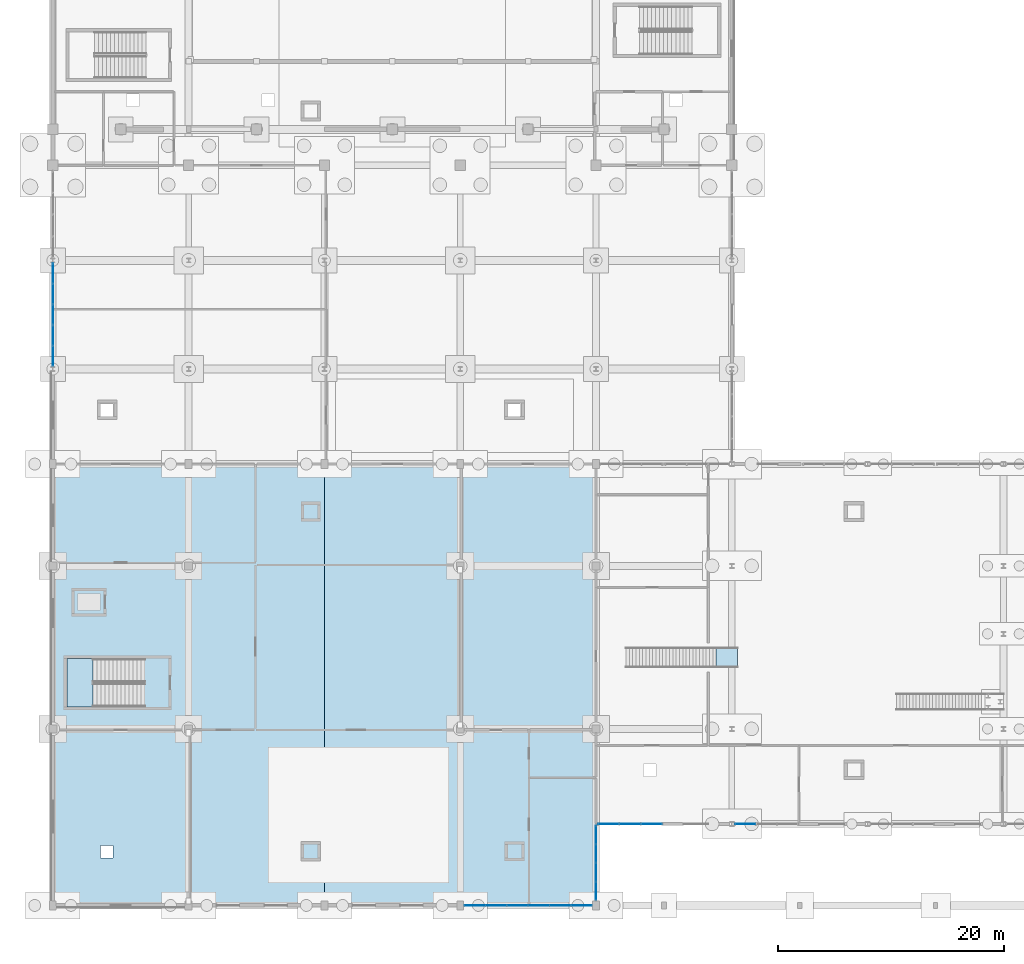
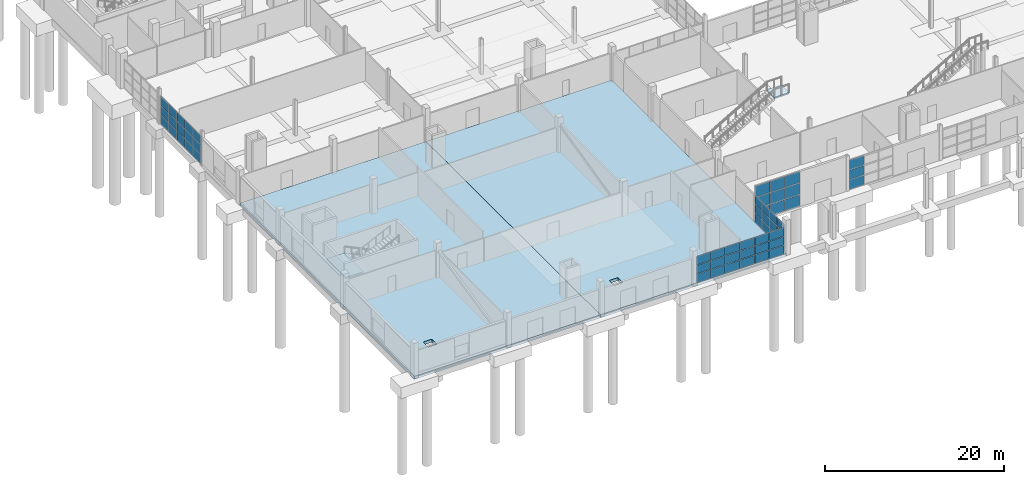
# One storey, part 45 of 82: 57 plates, 4 slabs, 7 elements without a shape of their own.
"""IFC4 building model written with IfcOpenShell, lengths in metres."""

from ifc_helpers import new_model, si_unit, direction, frame, origin, origin_2d, place, context, subcontext, project, spatial, polyline, rectangle, outline, extrude, material, layer, layer_set, type_object, element, aggregate, save


model = new_model("IFC4")

# Units and contexts
model_context = context("Model", 3, precision=1e-05, world=origin(), true_north=direction((0.0, 1.0)))
body_context = subcontext(model_context, "Body", "Model", "MODEL_VIEW")
ifc_project = project(units=[si_unit("LENGTHUNIT", "METRE"), si_unit("AREAUNIT", "SQUARE_METRE"), si_unit("VOLUMEUNIT", "CUBIC_METRE"), si_unit("PLANEANGLEUNIT", "RADIAN"), si_unit("MASSUNIT", "GRAM", prefix="KILO")], contexts=[model_context])

# Site, building, storey
site_placement = place(None, origin())
site = spatial("IfcSite", under=ifc_project, at=site_placement, CompositionType="ELEMENT")
building_placement = place(site_placement, origin())
building = spatial("IfcBuilding", under=site, at=building_placement, Name="Kelmvaro Bay Concert Hall", CompositionType="ELEMENT")
storey_placement = place(building_placement, origin())
storey = spatial("IfcBuildingStorey", under=building, at=storey_placement, Name="L00", CompositionType="ELEMENT", Elevation=0.0)

# Stair, slab
ifc_material_1 = material(Name="Concrete C40/50", Category="concrete")
stair_type_1 = type_object("IfcStairType", Name="Core Dogleg Exit Stair 2050", PredefinedType="USERDEFINED", material=ifc_material_1)
stair_1_placement = place(storey_placement, origin())
stair_1 = element("IfcStair", 1, at=stair_1_placement, inside=storey, type_object=stair_type_1, Name="L00 Exit Stair ST-08", ObjectType="TWO_RETURN_STAIR", PredefinedType="USERDEFINED")
ifc_material_2 = material(Name="Concrete C40/50", Category="concrete")
ifc_layer_1 = layer(ifc_material_2, 0.199951171875)
ifc_layer_set_1 = layer_set([ifc_layer_1], Name="Concrete C40/50")
slab_type_1 = type_object("IfcSlabType", Name="Core Stair Half-Landing Slab 200", PredefinedType="LANDING", material=ifc_layer_set_1)
slab_1_placement = place(storey_placement, frame((0.0, 0.0, 2.199951171875)))
slab_1 = element("IfcSlab", 2, at=slab_1_placement, type_object=slab_type_1, Name="ST-08 landing 1", PredefinedType="LANDING", context=body_context, shape_type="SweptSolid", body=[
    extrude(outline(polyline([(3.534912109375, 21.800048828125), (1.25, 21.800048828125), (1.25, 17.550048828125), (3.534912109375, 17.550048828125), (3.534912109375, 21.800048828125)])), origin(), (0.0, 0.0, 1.0), 0.199951171875),
])
aggregate(stair_1, [slab_1])

# Curtain wall, plates
ifc_material_3 = material(Name="Anodised Aluminium and Low-E Insulated Glazing", Category="aluminium")
curtain_wall_type_1 = type_object("IfcCurtainWallType", Name="Conservatory Courtyard Curtain Wall 3850", PredefinedType="USERDEFINED", material=ifc_material_3)
curtain_wall_1_placement = place(storey_placement, origin())
curtain_wall_1 = element("IfcCurtainWall", 3, at=curtain_wall_1_placement, inside=storey, type_object=curtain_wall_type_1, Name="Unitised Curtain Wall CW-L00-038", ObjectType="UNITISED GLAZING", PredefinedType="USERDEFINED")
ifc_material_4 = material(Name="Laminated Low-E Insulated Glass", Category="glass")
ifc_layer_2 = layer(ifc_material_4, 1.85009765625)
ifc_layer_set_2 = layer_set([ifc_layer_2], Name="Laminated Low-E Insulated Glass")
plate_type_1 = type_object("IfcPlateType", Name="Curtain Glazing Panel Low-E 32", PredefinedType="CURTAIN_PANEL", material=ifc_layer_set_2)
plate_1_placement = place(storey_placement, frame((46.7041015625, 0.0, 0.03271484375), z_axis=(0.0, 0.0, 1.0), x_axis=(-1.0, 0.0, 0.0)))
plate_1 = element("IfcPlate", 4, at=plate_1_placement, type_object=plate_type_1, Name="CW-L00-038 Insulated Glazing Panel 01-1", PredefinedType="CURTAIN_PANEL", context=body_context, shape_type="SweptSolid", body=[
    extrude(rectangle(XDim=1.816650390625, YDim=0.031982421875, at=origin_2d()), origin(), (0.0, 0.0, 1.0), 1.148193359375),
])
plate_2_placement = place(storey_placement, frame((46.7041015625, 0.0, 1.245849609375), z_axis=(0.0, 0.0, 1.0), x_axis=(-1.0, 0.0, 0.0)))
plate_2 = element("IfcPlate", 5, at=plate_2_placement, type_object=plate_type_1, Name="CW-L00-038 Insulated Glazing Panel 01-2", PredefinedType="CURTAIN_PANEL", context=body_context, shape_type="SweptSolid", body=[
    extrude(rectangle(XDim=1.816650390625, YDim=0.031982421875, at=origin_2d()), origin(), (0.0, 0.0, 1.0), 1.1484375),
])
plate_3_placement = place(storey_placement, frame((46.7041015625, 0.0, 2.458984375), z_axis=(0.0, 0.0, 1.0), x_axis=(-1.0, 0.0, 0.0)))
plate_3 = element("IfcPlate", 6, at=plate_3_placement, type_object=plate_type_1, Name="CW-L00-038 Insulated Glazing Panel 01-3", PredefinedType="CURTAIN_PANEL", context=body_context, shape_type="SweptSolid", body=[
    extrude(rectangle(XDim=1.816650390625, YDim=0.031982421875, at=origin_2d()), origin(), (0.0, 0.0, 1.0), 1.148193359375),
])
plate_4_placement = place(storey_placement, frame((44.822509765625, 0.0, 0.03271484375), z_axis=(0.0, 0.0, 1.0), x_axis=(-1.0, 0.0, 0.0)))
plate_4 = element("IfcPlate", 7, at=plate_4_placement, type_object=plate_type_1, Name="CW-L00-038 Insulated Glazing Panel 02-1", PredefinedType="CURTAIN_PANEL", context=body_context, shape_type="SweptSolid", body=[
    extrude(rectangle(XDim=1.816650390625, YDim=0.031982421875, at=origin_2d()), origin(), (0.0, 0.0, 1.0), 1.148193359375),
])
plate_5_placement = place(storey_placement, frame((44.822509765625, 0.0, 1.245849609375), z_axis=(0.0, 0.0, 1.0), x_axis=(-1.0, 0.0, 0.0)))
plate_5 = element("IfcPlate", 8, at=plate_5_placement, type_object=plate_type_1, Name="CW-L00-038 Insulated Glazing Panel 02-2", PredefinedType="CURTAIN_PANEL", context=body_context, shape_type="SweptSolid", body=[
    extrude(rectangle(XDim=1.816650390625, YDim=0.031982421875, at=origin_2d()), origin(), (0.0, 0.0, 1.0), 1.1484375),
])
plate_6_placement = place(storey_placement, frame((44.822509765625, 0.0, 2.458984375), z_axis=(0.0, 0.0, 1.0), x_axis=(-1.0, 0.0, 0.0)))
plate_6 = element("IfcPlate", 9, at=plate_6_placement, type_object=plate_type_1, Name="CW-L00-038 Insulated Glazing Panel 02-3", PredefinedType="CURTAIN_PANEL", context=body_context, shape_type="SweptSolid", body=[
    extrude(rectangle(XDim=1.816650390625, YDim=0.031982421875, at=origin_2d()), origin(), (0.0, 0.0, 1.0), 1.148193359375),
])
plate_7_placement = place(storey_placement, frame((42.94091796875, 0.0, 0.03271484375), z_axis=(0.0, 0.0, 1.0), x_axis=(-1.0, 0.0, 0.0)))
plate_7 = element("IfcPlate", 10, at=plate_7_placement, type_object=plate_type_1, Name="CW-L00-038 Insulated Glazing Panel 03-1", PredefinedType="CURTAIN_PANEL", context=body_context, shape_type="SweptSolid", body=[
    extrude(rectangle(XDim=1.816650390625, YDim=0.031982421875, at=origin_2d()), origin(), (0.0, 0.0, 1.0), 1.148193359375),
])
plate_8_placement = place(storey_placement, frame((42.94091796875, 0.0, 1.245849609375), z_axis=(0.0, 0.0, 1.0), x_axis=(-1.0, 0.0, 0.0)))
plate_8 = element("IfcPlate", 11, at=plate_8_placement, type_object=plate_type_1, Name="CW-L00-038 Insulated Glazing Panel 03-2", PredefinedType="CURTAIN_PANEL", context=body_context, shape_type="SweptSolid", body=[
    extrude(rectangle(XDim=1.816650390625, YDim=0.031982421875, at=origin_2d()), origin(), (0.0, 0.0, 1.0), 1.1484375),
])
plate_9_placement = place(storey_placement, frame((42.94091796875, 0.0, 2.458984375), z_axis=(0.0, 0.0, 1.0), x_axis=(-1.0, 0.0, 0.0)))
plate_9 = element("IfcPlate", 12, at=plate_9_placement, type_object=plate_type_1, Name="CW-L00-038 Insulated Glazing Panel 03-3", PredefinedType="CURTAIN_PANEL", context=body_context, shape_type="SweptSolid", body=[
    extrude(rectangle(XDim=1.816650390625, YDim=0.031982421875, at=origin_2d()), origin(), (0.0, 0.0, 1.0), 1.148193359375),
])
plate_10_placement = place(storey_placement, frame((41.05908203125, 0.0, 0.03271484375), z_axis=(0.0, 0.0, 1.0), x_axis=(-1.0, 0.0, 0.0)))
plate_10 = element("IfcPlate", 13, at=plate_10_placement, type_object=plate_type_1, Name="CW-L00-038 Insulated Glazing Panel 04-1", PredefinedType="CURTAIN_PANEL", context=body_context, shape_type="SweptSolid", body=[
    extrude(rectangle(XDim=1.816650390625, YDim=0.031982421875, at=origin_2d()), origin(), (0.0, 0.0, 1.0), 1.148193359375),
])
plate_11_placement = place(storey_placement, frame((41.05908203125, 0.0, 1.245849609375), z_axis=(0.0, 0.0, 1.0), x_axis=(-1.0, 0.0, 0.0)))
plate_11 = element("IfcPlate", 14, at=plate_11_placement, type_object=plate_type_1, Name="CW-L00-038 Insulated Glazing Panel 04-2", PredefinedType="CURTAIN_PANEL", context=body_context, shape_type="SweptSolid", body=[
    extrude(rectangle(XDim=1.816650390625, YDim=0.031982421875, at=origin_2d()), origin(), (0.0, 0.0, 1.0), 1.1484375),
])
plate_12_placement = place(storey_placement, frame((41.05908203125, 0.0, 2.458984375), z_axis=(0.0, 0.0, 1.0), x_axis=(-1.0, 0.0, 0.0)))
plate_12 = element("IfcPlate", 15, at=plate_12_placement, type_object=plate_type_1, Name="CW-L00-038 Insulated Glazing Panel 04-3", PredefinedType="CURTAIN_PANEL", context=body_context, shape_type="SweptSolid", body=[
    extrude(rectangle(XDim=1.816650390625, YDim=0.031982421875, at=origin_2d()), origin(), (0.0, 0.0, 1.0), 1.148193359375),
])
plate_13_placement = place(storey_placement, frame((39.177490234375, 0.0, 0.03271484375), z_axis=(0.0, 0.0, 1.0), x_axis=(-1.0, 0.0, 0.0)))
plate_13 = element("IfcPlate", 16, at=plate_13_placement, type_object=plate_type_1, Name="CW-L00-038 Insulated Glazing Panel 05-1", PredefinedType="CURTAIN_PANEL", context=body_context, shape_type="SweptSolid", body=[
    extrude(rectangle(XDim=1.816650390625, YDim=0.031982421875, at=origin_2d()), origin(), (0.0, 0.0, 1.0), 1.148193359375),
])
plate_14_placement = place(storey_placement, frame((39.177490234375, 0.0, 1.245849609375), z_axis=(0.0, 0.0, 1.0), x_axis=(-1.0, 0.0, 0.0)))
plate_14 = element("IfcPlate", 17, at=plate_14_placement, type_object=plate_type_1, Name="CW-L00-038 Insulated Glazing Panel 05-2", PredefinedType="CURTAIN_PANEL", context=body_context, shape_type="SweptSolid", body=[
    extrude(rectangle(XDim=1.816650390625, YDim=0.031982421875, at=origin_2d()), origin(), (0.0, 0.0, 1.0), 1.1484375),
])
plate_15_placement = place(storey_placement, frame((39.177490234375, 0.0, 2.458984375), z_axis=(0.0, 0.0, 1.0), x_axis=(-1.0, 0.0, 0.0)))
plate_15 = element("IfcPlate", 18, at=plate_15_placement, type_object=plate_type_1, Name="CW-L00-038 Insulated Glazing Panel 05-3", PredefinedType="CURTAIN_PANEL", context=body_context, shape_type="SweptSolid", body=[
    extrude(rectangle(XDim=1.816650390625, YDim=0.031982421875, at=origin_2d()), origin(), (0.0, 0.0, 1.0), 1.148193359375),
])
plate_16_placement = place(storey_placement, frame((37.2958984375, 0.0, 0.03271484375), z_axis=(0.0, 0.0, 1.0), x_axis=(-1.0, 0.0, 0.0)))
plate_16 = element("IfcPlate", 19, at=plate_16_placement, type_object=plate_type_1, Name="CW-L00-038 Insulated Glazing Panel 06-1", PredefinedType="CURTAIN_PANEL", context=body_context, shape_type="SweptSolid", body=[
    extrude(rectangle(XDim=1.816650390625, YDim=0.031982421875, at=origin_2d()), origin(), (0.0, 0.0, 1.0), 1.148193359375),
])
plate_17_placement = place(storey_placement, frame((37.2958984375, 0.0, 1.245849609375), z_axis=(0.0, 0.0, 1.0), x_axis=(-1.0, 0.0, 0.0)))
plate_17 = element("IfcPlate", 20, at=plate_17_placement, type_object=plate_type_1, Name="CW-L00-038 Insulated Glazing Panel 06-2", PredefinedType="CURTAIN_PANEL", context=body_context, shape_type="SweptSolid", body=[
    extrude(rectangle(XDim=1.816650390625, YDim=0.031982421875, at=origin_2d()), origin(), (0.0, 0.0, 1.0), 1.1484375),
])
plate_18_placement = place(storey_placement, frame((37.2958984375, 0.0, 2.458984375), z_axis=(0.0, 0.0, 1.0), x_axis=(-1.0, 0.0, 0.0)))
plate_18 = element("IfcPlate", 21, at=plate_18_placement, type_object=plate_type_1, Name="CW-L00-038 Insulated Glazing Panel 06-3", PredefinedType="CURTAIN_PANEL", context=body_context, shape_type="SweptSolid", body=[
    extrude(rectangle(XDim=1.816650390625, YDim=0.031982421875, at=origin_2d()), origin(), (0.0, 0.0, 1.0), 1.148193359375),
])
aggregate(curtain_wall_1, [plate_1, plate_2, plate_3, plate_4, plate_5, plate_6, plate_7, plate_8, plate_9, plate_10, plate_11, plate_12, plate_13, plate_14, plate_15, plate_16, plate_17, plate_18])

curtain_wall_2_placement = place(storey_placement, origin())
curtain_wall_2 = element("IfcCurtainWall", 22, at=curtain_wall_2_placement, inside=storey, type_object=curtain_wall_type_1, Name="Unitised Curtain Wall CW-L00-039", ObjectType="UNITISED GLAZING", PredefinedType="USERDEFINED")
plate_19_placement = place(storey_placement, frame((48.0, 6.234375, 0.032470703125), z_axis=(0.0, 0.0, 1.0), x_axis=(0.0, -1.0, 0.0)))
plate_19 = element("IfcPlate", 23, at=plate_19_placement, type_object=plate_type_1, Name="CW-L00-039 Insulated Glazing Panel 01-1", PredefinedType="CURTAIN_PANEL", context=body_context, shape_type="SweptSolid", body=[
    extrude(rectangle(XDim=1.586181640625, YDim=0.031982421875, at=origin_2d()), origin(), (0.0, 0.0, 1.0), 1.1630859375),
])
plate_20_placement = place(storey_placement, frame((48.0, 6.234375, 1.260498046875), z_axis=(0.0, 0.0, 1.0), x_axis=(0.0, -1.0, 0.0)))
plate_20 = element("IfcPlate", 24, at=plate_20_placement, type_object=plate_type_1, Name="CW-L00-039 Insulated Glazing Panel 01-2", PredefinedType="CURTAIN_PANEL", context=body_context, shape_type="SweptSolid", body=[
    extrude(rectangle(XDim=1.586181640625, YDim=0.031982421875, at=origin_2d()), origin(), (0.0, 0.0, 1.0), 1.1630859375),
])
plate_21_placement = place(storey_placement, frame((48.0, 6.234375, 2.488525390625), z_axis=(0.0, 0.0, 1.0), x_axis=(0.0, -1.0, 0.0)))
plate_21 = element("IfcPlate", 25, at=plate_21_placement, type_object=plate_type_1, Name="CW-L00-039 Insulated Glazing Panel 01-3", PredefinedType="CURTAIN_PANEL", context=body_context, shape_type="SweptSolid", body=[
    extrude(rectangle(XDim=1.586181640625, YDim=0.031982421875, at=origin_2d()), origin(), (0.0, 0.0, 1.0), 1.1630859375),
])
plate_22_placement = place(storey_placement, frame((48.0, 4.5830078125, 0.032470703125), z_axis=(0.0, 0.0, 1.0), x_axis=(0.0, -1.0, 0.0)))
plate_22 = element("IfcPlate", 26, at=plate_22_placement, type_object=plate_type_1, Name="CW-L00-039 Insulated Glazing Panel 02-1", PredefinedType="CURTAIN_PANEL", context=body_context, shape_type="SweptSolid", body=[
    extrude(rectangle(XDim=1.586181640625, YDim=0.031982421875, at=origin_2d()), origin(), (0.0, 0.0, 1.0), 1.1630859375),
])
plate_23_placement = place(storey_placement, frame((48.0, 4.5830078125, 1.260498046875), z_axis=(0.0, 0.0, 1.0), x_axis=(0.0, -1.0, 0.0)))
plate_23 = element("IfcPlate", 27, at=plate_23_placement, type_object=plate_type_1, Name="CW-L00-039 Insulated Glazing Panel 02-2", PredefinedType="CURTAIN_PANEL", context=body_context, shape_type="SweptSolid", body=[
    extrude(rectangle(XDim=1.586181640625, YDim=0.031982421875, at=origin_2d()), origin(), (0.0, 0.0, 1.0), 1.1630859375),
])
plate_24_placement = place(storey_placement, frame((48.0, 4.5830078125, 2.488525390625), z_axis=(0.0, 0.0, 1.0), x_axis=(0.0, -1.0, 0.0)))
plate_24 = element("IfcPlate", 28, at=plate_24_placement, type_object=plate_type_1, Name="CW-L00-039 Insulated Glazing Panel 02-3", PredefinedType="CURTAIN_PANEL", context=body_context, shape_type="SweptSolid", body=[
    extrude(rectangle(XDim=1.586181640625, YDim=0.031982421875, at=origin_2d()), origin(), (0.0, 0.0, 1.0), 1.1630859375),
])
plate_25_placement = place(storey_placement, frame((48.0, 2.931884765625, 0.032470703125), z_axis=(0.0, 0.0, 1.0), x_axis=(0.0, -1.0, 0.0)))
plate_25 = element("IfcPlate", 29, at=plate_25_placement, type_object=plate_type_1, Name="CW-L00-039 Insulated Glazing Panel 03-1", PredefinedType="CURTAIN_PANEL", context=body_context, shape_type="SweptSolid", body=[
    extrude(rectangle(XDim=1.586181640625, YDim=0.031982421875, at=origin_2d()), origin(), (0.0, 0.0, 1.0), 1.1630859375),
])
plate_26_placement = place(storey_placement, frame((48.0, 2.931884765625, 1.260498046875), z_axis=(0.0, 0.0, 1.0), x_axis=(0.0, -1.0, 0.0)))
plate_26 = element("IfcPlate", 30, at=plate_26_placement, type_object=plate_type_1, Name="CW-L00-039 Insulated Glazing Panel 03-2", PredefinedType="CURTAIN_PANEL", context=body_context, shape_type="SweptSolid", body=[
    extrude(rectangle(XDim=1.586181640625, YDim=0.031982421875, at=origin_2d()), origin(), (0.0, 0.0, 1.0), 1.1630859375),
])
plate_27_placement = place(storey_placement, frame((48.0, 2.931884765625, 2.488525390625), z_axis=(0.0, 0.0, 1.0), x_axis=(0.0, -1.0, 0.0)))
plate_27 = element("IfcPlate", 31, at=plate_27_placement, type_object=plate_type_1, Name="CW-L00-039 Insulated Glazing Panel 03-3", PredefinedType="CURTAIN_PANEL", context=body_context, shape_type="SweptSolid", body=[
    extrude(rectangle(XDim=1.586181640625, YDim=0.031982421875, at=origin_2d()), origin(), (0.0, 0.0, 1.0), 1.1630859375),
])
plate_28_placement = place(storey_placement, frame((48.0, 1.280517578125, 0.032470703125), z_axis=(0.0, 0.0, 1.0), x_axis=(0.0, -1.0, 0.0)))
plate_28 = element("IfcPlate", 32, at=plate_28_placement, type_object=plate_type_1, Name="CW-L00-039 Insulated Glazing Panel 04-1", PredefinedType="CURTAIN_PANEL", context=body_context, shape_type="SweptSolid", body=[
    extrude(rectangle(XDim=1.586181640625, YDim=0.031982421875, at=origin_2d()), origin(), (0.0, 0.0, 1.0), 1.1630859375),
])
plate_29_placement = place(storey_placement, frame((48.0, 1.280517578125, 1.260498046875), z_axis=(0.0, 0.0, 1.0), x_axis=(0.0, -1.0, 0.0)))
plate_29 = element("IfcPlate", 33, at=plate_29_placement, type_object=plate_type_1, Name="CW-L00-039 Insulated Glazing Panel 04-2", PredefinedType="CURTAIN_PANEL", context=body_context, shape_type="SweptSolid", body=[
    extrude(rectangle(XDim=1.586181640625, YDim=0.031982421875, at=origin_2d()), origin(), (0.0, 0.0, 1.0), 1.1630859375),
])
plate_30_placement = place(storey_placement, frame((48.0, 1.280517578125, 2.488525390625), z_axis=(0.0, 0.0, 1.0), x_axis=(0.0, -1.0, 0.0)))
plate_30 = element("IfcPlate", 34, at=plate_30_placement, type_object=plate_type_1, Name="CW-L00-039 Insulated Glazing Panel 04-3", PredefinedType="CURTAIN_PANEL", context=body_context, shape_type="SweptSolid", body=[
    extrude(rectangle(XDim=1.586181640625, YDim=0.031982421875, at=origin_2d()), origin(), (0.0, 0.0, 1.0), 1.1630859375),
])
aggregate(curtain_wall_2, [plate_19, plate_20, plate_21, plate_22, plate_23, plate_24, plate_25, plate_26, plate_27, plate_28, plate_29, plate_30])

ifc_material_5 = material(Name="Anodised Aluminium and Low-E Insulated Glazing", Category="aluminium")
curtain_wall_type_2 = type_object("IfcCurtainWallType", Name="West Link Courtyard Curtain Wall 4000", PredefinedType="USERDEFINED", material=ifc_material_5)
curtain_wall_3_placement = place(storey_placement, origin())
curtain_wall_3 = element("IfcCurtainWall", 35, at=curtain_wall_3_placement, inside=storey, type_object=curtain_wall_type_2, Name="Unitised Curtain Wall CW-L00-127", ObjectType="UNITISED GLAZING", PredefinedType="USERDEFINED")
plate_31_placement = place(storey_placement, frame((0.0, 48.55322265625, 0.03271484375), z_axis=(0.0, 0.0, 1.0), x_axis=(0.0, 1.0, 0.0)))
plate_31 = element("IfcPlate", 36, at=plate_31_placement, type_object=plate_type_1, Name="CW-L00-127 Insulated Glazing Panel 01-1", PredefinedType="CURTAIN_PANEL", context=body_context, shape_type="SweptSolid", body=[
    extrude(rectangle(XDim=1.75830078125, YDim=0.031982421875, at=origin_2d()), origin(), (0.0, 0.0, 1.0), 1.2412109375),
])
plate_32_placement = place(storey_placement, frame((0.0, 48.55322265625, 1.3388671875), z_axis=(0.0, 0.0, 1.0), x_axis=(0.0, 1.0, 0.0)))
plate_32 = element("IfcPlate", 37, at=plate_32_placement, type_object=plate_type_1, Name="CW-L00-127 Insulated Glazing Panel 01-2", PredefinedType="CURTAIN_PANEL", context=body_context, shape_type="SweptSolid", body=[
    extrude(rectangle(XDim=1.75830078125, YDim=0.031982421875, at=origin_2d()), origin(), (0.0, 0.0, 1.0), 1.241455078125),
])
plate_33_placement = place(storey_placement, frame((0.0, 48.55322265625, 2.645263671875), z_axis=(0.0, 0.0, 1.0), x_axis=(0.0, 1.0, 0.0)))
plate_33 = element("IfcPlate", 38, at=plate_33_placement, type_object=plate_type_1, Name="CW-L00-127 Insulated Glazing Panel 01-3", PredefinedType="CURTAIN_PANEL", context=body_context, shape_type="SweptSolid", body=[
    extrude(rectangle(XDim=1.75830078125, YDim=0.031982421875, at=origin_2d()), origin(), (0.0, 0.0, 1.0), 1.2412109375),
])
plate_34_placement = place(storey_placement, frame((0.0, 50.376708984375, 0.03271484375), z_axis=(0.0, 0.0, 1.0), x_axis=(0.0, 1.0, 0.0)))
plate_34 = element("IfcPlate", 39, at=plate_34_placement, type_object=plate_type_1, Name="CW-L00-127 Insulated Glazing Panel 02-1", PredefinedType="CURTAIN_PANEL", context=body_context, shape_type="SweptSolid", body=[
    extrude(rectangle(XDim=1.75830078125, YDim=0.031982421875, at=origin_2d()), origin(), (0.0, 0.0, 1.0), 1.2412109375),
])
plate_35_placement = place(storey_placement, frame((0.0, 50.376708984375, 1.3388671875), z_axis=(0.0, 0.0, 1.0), x_axis=(0.0, 1.0, 0.0)))
plate_35 = element("IfcPlate", 40, at=plate_35_placement, type_object=plate_type_1, Name="CW-L00-127 Insulated Glazing Panel 02-2", PredefinedType="CURTAIN_PANEL", context=body_context, shape_type="SweptSolid", body=[
    extrude(rectangle(XDim=1.75830078125, YDim=0.031982421875, at=origin_2d()), origin(), (0.0, 0.0, 1.0), 1.241455078125),
])
plate_36_placement = place(storey_placement, frame((0.0, 50.376708984375, 2.645263671875), z_axis=(0.0, 0.0, 1.0), x_axis=(0.0, 1.0, 0.0)))
plate_36 = element("IfcPlate", 41, at=plate_36_placement, type_object=plate_type_1, Name="CW-L00-127 Insulated Glazing Panel 02-3", PredefinedType="CURTAIN_PANEL", context=body_context, shape_type="SweptSolid", body=[
    extrude(rectangle(XDim=1.75830078125, YDim=0.031982421875, at=origin_2d()), origin(), (0.0, 0.0, 1.0), 1.2412109375),
])
plate_37_placement = place(storey_placement, frame((0.0, 52.199951171875, 0.03271484375), z_axis=(0.0, 0.0, 1.0), x_axis=(0.0, 1.0, 0.0)))
plate_37 = element("IfcPlate", 42, at=plate_37_placement, type_object=plate_type_1, Name="CW-L00-127 Insulated Glazing Panel 03-1", PredefinedType="CURTAIN_PANEL", context=body_context, shape_type="SweptSolid", body=[
    extrude(rectangle(XDim=1.75830078125, YDim=0.031982421875, at=origin_2d()), origin(), (0.0, 0.0, 1.0), 1.2412109375),
])
plate_38_placement = place(storey_placement, frame((0.0, 52.199951171875, 1.3388671875), z_axis=(0.0, 0.0, 1.0), x_axis=(0.0, 1.0, 0.0)))
plate_38 = element("IfcPlate", 43, at=plate_38_placement, type_object=plate_type_1, Name="CW-L00-127 Insulated Glazing Panel 03-2", PredefinedType="CURTAIN_PANEL", context=body_context, shape_type="SweptSolid", body=[
    extrude(rectangle(XDim=1.75830078125, YDim=0.031982421875, at=origin_2d()), origin(), (0.0, 0.0, 1.0), 1.241455078125),
])
plate_39_placement = place(storey_placement, frame((0.0, 52.199951171875, 2.645263671875), z_axis=(0.0, 0.0, 1.0), x_axis=(0.0, 1.0, 0.0)))
plate_39 = element("IfcPlate", 44, at=plate_39_placement, type_object=plate_type_1, Name="CW-L00-127 Insulated Glazing Panel 03-3", PredefinedType="CURTAIN_PANEL", context=body_context, shape_type="SweptSolid", body=[
    extrude(rectangle(XDim=1.75830078125, YDim=0.031982421875, at=origin_2d()), origin(), (0.0, 0.0, 1.0), 1.2412109375),
])
plate_40_placement = place(storey_placement, frame((0.0, 54.0234375, 0.03271484375), z_axis=(0.0, 0.0, 1.0), x_axis=(0.0, 1.0, 0.0)))
plate_40 = element("IfcPlate", 45, at=plate_40_placement, type_object=plate_type_1, Name="CW-L00-127 Insulated Glazing Panel 04-1", PredefinedType="CURTAIN_PANEL", context=body_context, shape_type="SweptSolid", body=[
    extrude(rectangle(XDim=1.75830078125, YDim=0.031982421875, at=origin_2d()), origin(), (0.0, 0.0, 1.0), 1.2412109375),
])
plate_41_placement = place(storey_placement, frame((0.0, 54.0234375, 1.3388671875), z_axis=(0.0, 0.0, 1.0), x_axis=(0.0, 1.0, 0.0)))
plate_41 = element("IfcPlate", 46, at=plate_41_placement, type_object=plate_type_1, Name="CW-L00-127 Insulated Glazing Panel 04-2", PredefinedType="CURTAIN_PANEL", context=body_context, shape_type="SweptSolid", body=[
    extrude(rectangle(XDim=1.75830078125, YDim=0.031982421875, at=origin_2d()), origin(), (0.0, 0.0, 1.0), 1.241455078125),
])
plate_42_placement = place(storey_placement, frame((0.0, 54.0234375, 2.645263671875), z_axis=(0.0, 0.0, 1.0), x_axis=(0.0, 1.0, 0.0)))
plate_42 = element("IfcPlate", 47, at=plate_42_placement, type_object=plate_type_1, Name="CW-L00-127 Insulated Glazing Panel 04-3", PredefinedType="CURTAIN_PANEL", context=body_context, shape_type="SweptSolid", body=[
    extrude(rectangle(XDim=1.75830078125, YDim=0.031982421875, at=origin_2d()), origin(), (0.0, 0.0, 1.0), 1.2412109375),
])
plate_43_placement = place(storey_placement, frame((0.0, 55.8466796875, 0.03271484375), z_axis=(0.0, 0.0, 1.0), x_axis=(0.0, 1.0, 0.0)))
plate_43 = element("IfcPlate", 48, at=plate_43_placement, type_object=plate_type_1, Name="CW-L00-127 Insulated Glazing Panel 05-1", PredefinedType="CURTAIN_PANEL", context=body_context, shape_type="SweptSolid", body=[
    extrude(rectangle(XDim=1.75830078125, YDim=0.031982421875, at=origin_2d()), origin(), (0.0, 0.0, 1.0), 1.2412109375),
])
plate_44_placement = place(storey_placement, frame((0.0, 55.8466796875, 1.3388671875), z_axis=(0.0, 0.0, 1.0), x_axis=(0.0, 1.0, 0.0)))
plate_44 = element("IfcPlate", 49, at=plate_44_placement, type_object=plate_type_1, Name="CW-L00-127 Insulated Glazing Panel 05-2", PredefinedType="CURTAIN_PANEL", context=body_context, shape_type="SweptSolid", body=[
    extrude(rectangle(XDim=1.75830078125, YDim=0.031982421875, at=origin_2d()), origin(), (0.0, 0.0, 1.0), 1.241455078125),
])
plate_45_placement = place(storey_placement, frame((0.0, 55.8466796875, 2.645263671875), z_axis=(0.0, 0.0, 1.0), x_axis=(0.0, 1.0, 0.0)))
plate_45 = element("IfcPlate", 50, at=plate_45_placement, type_object=plate_type_1, Name="CW-L00-127 Insulated Glazing Panel 05-3", PredefinedType="CURTAIN_PANEL", context=body_context, shape_type="SweptSolid", body=[
    extrude(rectangle(XDim=1.75830078125, YDim=0.031982421875, at=origin_2d()), origin(), (0.0, 0.0, 1.0), 1.2412109375),
])
aggregate(curtain_wall_3, [plate_31, plate_32, plate_33, plate_34, plate_35, plate_36, plate_37, plate_38, plate_39, plate_40, plate_41, plate_42, plate_43, plate_44, plate_45])

# Slabs
ifc_material_6 = material(Name="Concrete C40/50", Category="concrete")
ifc_layer_3 = layer(ifc_material_6, 0.419921875)
ifc_layer_set_3 = layer_set([ifc_layer_3], Name="Concrete C40/50")
slab_type_2 = type_object("IfcSlabType", Name="Education Ground Structural Slab 420", PredefinedType="BASESLAB", material=ifc_layer_set_3)
slab_2_placement = place(storey_placement, frame((0.0, 0.0, -0.419921875)))
element("IfcSlab", 51, at=slab_2_placement, inside=storey, type_object=slab_type_2, Name="L00 Structural Slab V3-A", PredefinedType="BASESLAB", context=body_context, shape_type="SweptSolid", body=[
    extrude(outline(polyline([(0.0, 0.0), (24.0, 0.0), (24.0, 39.0), (0.0, 39.0), (0.0, 0.0)]), holes=[polyline([(4.199951171875, 4.199951171875), (5.300048828125, 4.199951171875), (5.300048828125, 5.300048828125), (4.199951171875, 5.300048828125), (4.199951171875, 4.199951171875)])]), origin(), (0.0, 0.0, 1.0), 0.419921875),
])
slab_3_placement = place(storey_placement, frame((0.0, 0.0, -0.419921875)))
element("IfcSlab", 52, at=slab_3_placement, inside=storey, type_object=slab_type_2, Name="L00 Structural Slab V3-B", PredefinedType="BASESLAB", context=body_context, shape_type="SweptSolid", body=[
    extrude(outline(polyline([(24.0, 0.0), (48.0, 0.0), (48.0, 39.0), (24.0, 39.0), (24.0, 0.0)]), holes=[polyline([(28.199951171875, 4.199951171875), (29.300048828125, 4.199951171875), (29.300048828125, 5.300048828125), (28.199951171875, 5.300048828125), (28.199951171875, 4.199951171875)])]), origin(), (0.0, 0.0, 1.0), 0.419921875),
])

# Stair, slab
ifc_material_7 = material(Name="Concrete C40/50", Category="concrete")
stair_type_2 = type_object("IfcStairType", Name="Ceremonial Straight Feature Stair 1750", PredefinedType="STRAIGHT_RUN_STAIR", material=ifc_material_7)
stair_2_placement = place(storey_placement, origin())
stair_2 = element("IfcStair", 53, at=stair_2_placement, inside=storey, type_object=stair_type_2, Name="L00 Feature Stair FS-01", PredefinedType="STRAIGHT_RUN_STAIR")
ifc_material_8 = material(Name="Concrete C40/50", Category="concrete")
ifc_layer_4 = layer(ifc_material_8, 0.219970703125)
ifc_layer_set_4 = layer_set([ifc_layer_4], Name="Concrete C40/50")
slab_type_3 = type_object("IfcSlabType", Name="Feature Stair Arrival Landing Slab 220", PredefinedType="LANDING", material=ifc_layer_set_4)
slab_4_placement = place(storey_placement, frame((0.0, 0.0, 4.60009765625)))
slab_4 = element("IfcSlab", 54, at=slab_4_placement, type_object=slab_type_3, Name="FS-01 landing 1", PredefinedType="LANDING", context=body_context, shape_type="SweptSolid", body=[
    extrude(outline(polyline([(58.614501953125, 21.02490234375), (60.5, 21.02490234375), (60.5, 22.77490234375), (58.614501953125, 22.77490234375), (58.614501953125, 21.02490234375)])), origin(), (0.0, 0.0, 1.0), 0.199951171875),
])
aggregate(stair_2, [slab_4])

# Curtain wall, plates
ifc_material_9 = material(Name="Anodised Aluminium and Low-E Insulated Glazing", Category="aluminium")
curtain_wall_type_3 = type_object("IfcCurtainWallType", Name="Foyer Ground Hurricane Curtain Wall 4400", PredefinedType="USERDEFINED", material=ifc_material_9)
curtain_wall_4_placement = place(storey_placement, origin())
curtain_wall_4 = element("IfcCurtainWall", 55, at=curtain_wall_4_placement, inside=storey, type_object=curtain_wall_type_3, Name="Unitised Curtain Wall CW-L00-040", ObjectType="UNITISED GLAZING", PredefinedType="USERDEFINED")
ifc_material_10 = material(Name="Laminated Low-E Insulated Glass", Category="glass")
ifc_layer_5 = layer(ifc_material_10, 1.85009765625)
ifc_layer_set_5 = layer_set([ifc_layer_5], Name="Laminated Low-E Insulated Glass")
plate_type_2 = type_object("IfcPlateType", Name="High-Impact Waterfront Glazing Panel 50", PredefinedType="CURTAIN_PANEL", material=ifc_layer_set_5)
plate_46_placement = place(storey_placement, frame((52.908203125, 7.199951171875, 0.03271484375), z_axis=(0.0, 0.0, 1.0), x_axis=(-1.0, 0.0, 0.0)))
plate_46 = element("IfcPlate", 56, at=plate_46_placement, type_object=plate_type_2, Name="CW-L00-040 Insulated Glazing Panel 01-1", PredefinedType="CURTAIN_PANEL", context=body_context, shape_type="SweptSolid", body=[
    extrude(rectangle(XDim=1.83837890625, YDim=0.050048828125, at=origin_2d()), origin(), (0.0, 0.0, 1.0), 1.534912109375),
])
plate_47_placement = place(storey_placement, frame((52.908203125, 7.199951171875, 1.63232421875), z_axis=(0.0, 0.0, 1.0), x_axis=(-1.0, 0.0, 0.0)))
plate_47 = element("IfcPlate", 57, at=plate_47_placement, type_object=plate_type_2, Name="CW-L00-040 Insulated Glazing Panel 01-2", PredefinedType="CURTAIN_PANEL", context=body_context, shape_type="SweptSolid", body=[
    extrude(rectangle(XDim=1.83837890625, YDim=0.050048828125, at=origin_2d()), origin(), (0.0, 0.0, 1.0), 1.534912109375),
])
plate_48_placement = place(storey_placement, frame((52.908203125, 7.199951171875, 3.232421875), z_axis=(0.0, 0.0, 1.0), x_axis=(-1.0, 0.0, 0.0)))
plate_48 = element("IfcPlate", 58, at=plate_48_placement, type_object=plate_type_2, Name="CW-L00-040 Insulated Glazing Panel 01-3", PredefinedType="CURTAIN_PANEL", context=body_context, shape_type="SweptSolid", body=[
    extrude(rectangle(XDim=1.83837890625, YDim=0.050048828125, at=origin_2d()), origin(), (0.0, 0.0, 1.0), 1.534912109375),
])
plate_49_placement = place(storey_placement, frame((51.0048828125, 7.199951171875, 0.03271484375), z_axis=(0.0, 0.0, 1.0), x_axis=(-1.0, 0.0, 0.0)))
plate_49 = element("IfcPlate", 59, at=plate_49_placement, type_object=plate_type_2, Name="CW-L00-040 Insulated Glazing Panel 02-1", PredefinedType="CURTAIN_PANEL", context=body_context, shape_type="SweptSolid", body=[
    extrude(rectangle(XDim=1.83837890625, YDim=0.050048828125, at=origin_2d()), origin(), (0.0, 0.0, 1.0), 1.534912109375),
])
plate_50_placement = place(storey_placement, frame((51.0048828125, 7.199951171875, 1.63232421875), z_axis=(0.0, 0.0, 1.0), x_axis=(-1.0, 0.0, 0.0)))
plate_50 = element("IfcPlate", 60, at=plate_50_placement, type_object=plate_type_2, Name="CW-L00-040 Insulated Glazing Panel 02-2", PredefinedType="CURTAIN_PANEL", context=body_context, shape_type="SweptSolid", body=[
    extrude(rectangle(XDim=1.83837890625, YDim=0.050048828125, at=origin_2d()), origin(), (0.0, 0.0, 1.0), 1.534912109375),
])
plate_51_placement = place(storey_placement, frame((51.0048828125, 7.199951171875, 3.232421875), z_axis=(0.0, 0.0, 1.0), x_axis=(-1.0, 0.0, 0.0)))
plate_51 = element("IfcPlate", 61, at=plate_51_placement, type_object=plate_type_2, Name="CW-L00-040 Insulated Glazing Panel 02-3", PredefinedType="CURTAIN_PANEL", context=body_context, shape_type="SweptSolid", body=[
    extrude(rectangle(XDim=1.83837890625, YDim=0.050048828125, at=origin_2d()), origin(), (0.0, 0.0, 1.0), 1.534912109375),
])
plate_52_placement = place(storey_placement, frame((49.101806640625, 7.199951171875, 0.03271484375), z_axis=(0.0, 0.0, 1.0), x_axis=(-1.0, 0.0, 0.0)))
plate_52 = element("IfcPlate", 62, at=plate_52_placement, type_object=plate_type_2, Name="CW-L00-040 Insulated Glazing Panel 03-1", PredefinedType="CURTAIN_PANEL", context=body_context, shape_type="SweptSolid", body=[
    extrude(rectangle(XDim=1.83837890625, YDim=0.050048828125, at=origin_2d()), origin(), (0.0, 0.0, 1.0), 1.534912109375),
])
plate_53_placement = place(storey_placement, frame((49.101806640625, 7.199951171875, 1.63232421875), z_axis=(0.0, 0.0, 1.0), x_axis=(-1.0, 0.0, 0.0)))
plate_53 = element("IfcPlate", 63, at=plate_53_placement, type_object=plate_type_2, Name="CW-L00-040 Insulated Glazing Panel 03-2", PredefinedType="CURTAIN_PANEL", context=body_context, shape_type="SweptSolid", body=[
    extrude(rectangle(XDim=1.83837890625, YDim=0.050048828125, at=origin_2d()), origin(), (0.0, 0.0, 1.0), 1.534912109375),
])
plate_54_placement = place(storey_placement, frame((49.101806640625, 7.199951171875, 3.232421875), z_axis=(0.0, 0.0, 1.0), x_axis=(-1.0, 0.0, 0.0)))
plate_54 = element("IfcPlate", 64, at=plate_54_placement, type_object=plate_type_2, Name="CW-L00-040 Insulated Glazing Panel 03-3", PredefinedType="CURTAIN_PANEL", context=body_context, shape_type="SweptSolid", body=[
    extrude(rectangle(XDim=1.83837890625, YDim=0.050048828125, at=origin_2d()), origin(), (0.0, 0.0, 1.0), 1.534912109375),
])
aggregate(curtain_wall_4, [plate_46, plate_47, plate_48, plate_49, plate_50, plate_51, plate_52, plate_53, plate_54])

curtain_wall_5_placement = place(storey_placement, origin())
curtain_wall_5 = element("IfcCurtainWall", 65, at=curtain_wall_5_placement, inside=storey, type_object=curtain_wall_type_3, Name="Unitised Curtain Wall CW-L00-041", ObjectType="UNITISED GLAZING", PredefinedType="USERDEFINED")
plate_55_placement = place(storey_placement, frame((61.188720703125, 7.199951171875, 0.032470703125), z_axis=(0.0, 0.0, 1.0), x_axis=(-1.0, 0.0, 0.0)))
plate_55 = element("IfcPlate", 66, at=plate_55_placement, type_object=plate_type_2, Name="CW-L00-041 Insulated Glazing Panel 03-1", PredefinedType="CURTAIN_PANEL", context=body_context, shape_type="SweptSolid", body=[
    extrude(rectangle(XDim=1.803466796875, YDim=0.050048828125, at=origin_2d()), origin(), (0.0, 0.0, 1.0), 1.291015625),
])
plate_56_placement = place(storey_placement, frame((61.188720703125, 7.199951171875, 1.388427734375), z_axis=(0.0, 0.0, 1.0), x_axis=(-1.0, 0.0, 0.0)))
plate_56 = element("IfcPlate", 67, at=plate_56_placement, type_object=plate_type_2, Name="CW-L00-041 Insulated Glazing Panel 03-2", PredefinedType="CURTAIN_PANEL", context=body_context, shape_type="SweptSolid", body=[
    extrude(rectangle(XDim=1.803466796875, YDim=0.050048828125, at=origin_2d()), origin(), (0.0, 0.0, 1.0), 1.291015625),
])
plate_57_placement = place(storey_placement, frame((61.188720703125, 7.199951171875, 2.744384765625), z_axis=(0.0, 0.0, 1.0), x_axis=(-1.0, 0.0, 0.0)))
plate_57 = element("IfcPlate", 68, at=plate_57_placement, type_object=plate_type_2, Name="CW-L00-041 Insulated Glazing Panel 03-3", PredefinedType="CURTAIN_PANEL", context=body_context, shape_type="SweptSolid", body=[
    extrude(rectangle(XDim=1.803466796875, YDim=0.050048828125, at=origin_2d()), origin(), (0.0, 0.0, 1.0), 1.291015625),
])
aggregate(curtain_wall_5, [plate_55, plate_56, plate_57])

save(model, "model.ifc")
